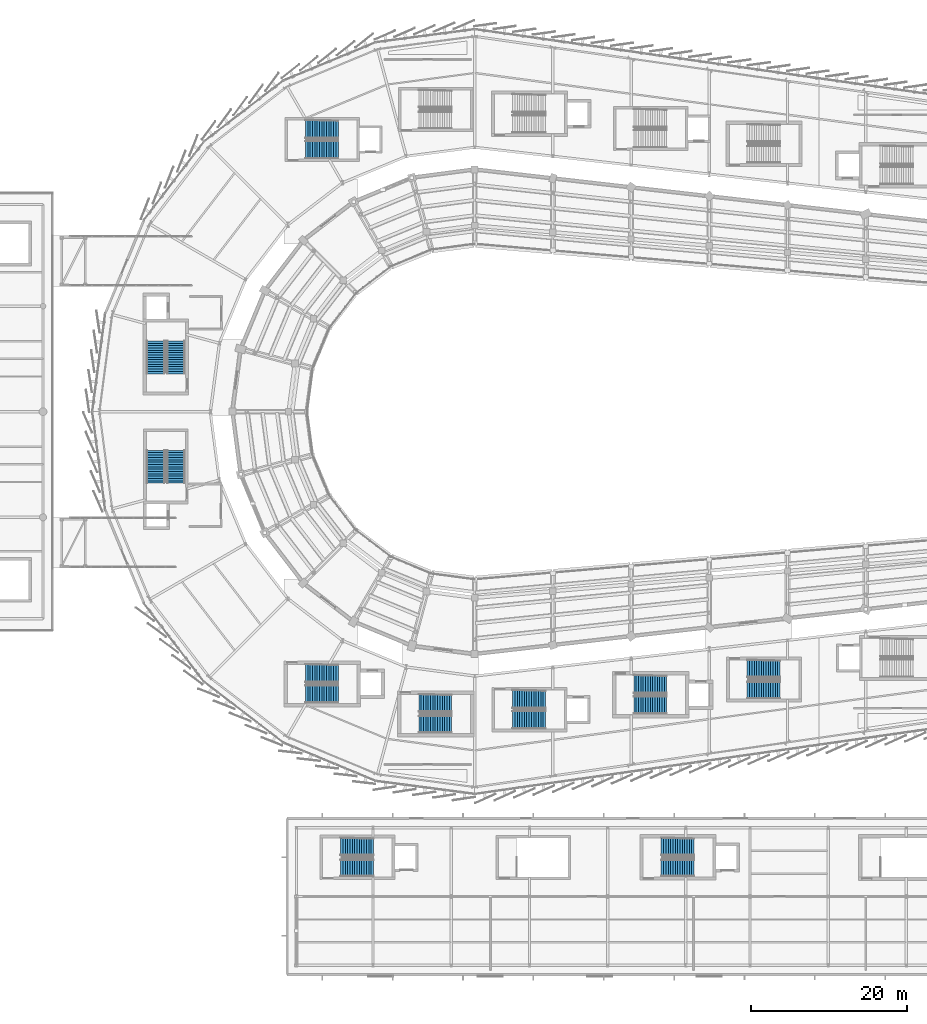
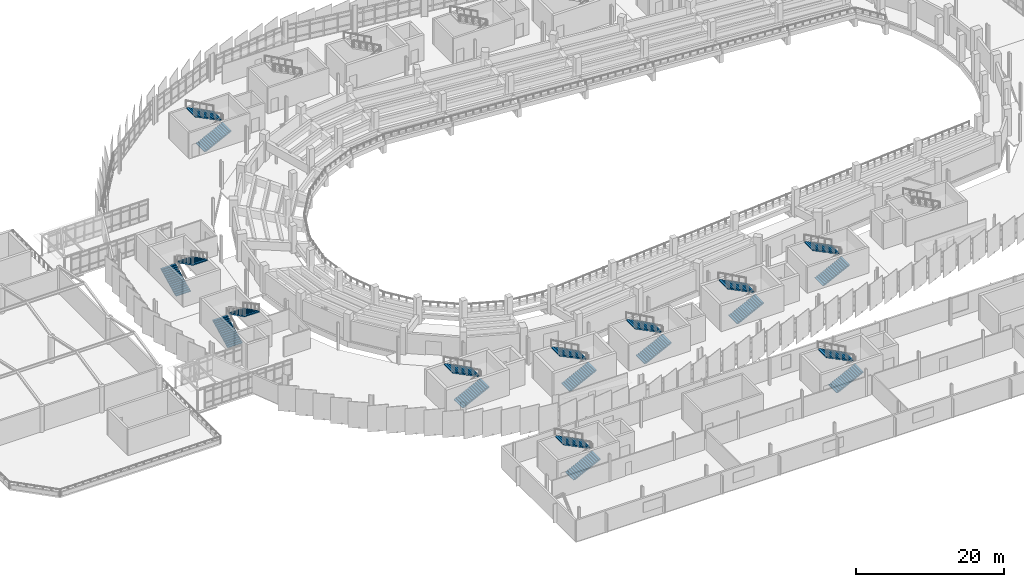
# One storey, part 107 of 120: 20 stair flights, 10 elements without a shape of their own.
"""IFC4 building model written with IfcOpenShell, lengths in metres."""

from ifc_helpers import new_model, si_unit, direction, frame, origin, place, context, subcontext, project, spatial, polyline, outline, extrude, material, type_object, element, aggregate, save


model = new_model("IFC4")

# Units and contexts
model_context = context("Model", 3, precision=1e-05, world=origin(), true_north=direction((0.0, 1.0)))
body_context = subcontext(model_context, "Body", "Model", "MODEL_VIEW")
ifc_project = project(units=[si_unit("LENGTHUNIT", "METRE"), si_unit("AREAUNIT", "SQUARE_METRE"), si_unit("VOLUMEUNIT", "CUBIC_METRE"), si_unit("PLANEANGLEUNIT", "RADIAN"), si_unit("MASSUNIT", "GRAM", prefix="KILO")], contexts=[model_context])

# Site, building, storey
site_placement = place(None, origin())
site = spatial("IfcSite", under=ifc_project, at=site_placement, CompositionType="ELEMENT")
building_placement = place(site_placement, origin())
building = spatial("IfcBuilding", under=site, at=building_placement, Name="Sohan Crest Arena", CompositionType="ELEMENT")
storey_placement = place(building_placement, frame((0.0, 0.0, 13.5)))
storey = spatial("IfcBuildingStorey", under=building, at=storey_placement, Name="L03", CompositionType="ELEMENT", Elevation=13.5)

# Stair, stair flights
ifc_material = material(Name="Concrete C40/50", Category="concrete")
stair_type_1 = type_object("IfcStairType", Name="ST-450W", PredefinedType="TWO_STRAIGHT_RUN_STAIR", material=ifc_material)
stair_1_placement = place(storey_placement, origin())
stair_1 = element("IfcStair", 1, at=stair_1_placement, inside=storey, type_object=stair_type_1, Name="Protected exit stair ST17-L03", PredefinedType="TWO_STRAIGHT_RUN_STAIR")
stair_flight_type_1 = type_object("IfcStairFlightType", Name="FL-220-15", PredefinedType="STRAIGHT", material=ifc_material)
stair_flight_1_placement = place(storey_placement, frame((80.85009765625, 19.64990234375, 0.0), z_axis=(0.0, 0.0, 1.0), x_axis=(1.0, 0.0, 0.0)))
stair_flight_1 = element("IfcStairFlight", 2, at=stair_flight_1_placement, type_object=stair_flight_type_1, Name="ST17-L03 flight 1", NumberOfRisers=15, NumberOfTreads=14, PredefinedType="STRAIGHT", RiserHeight=0.15, TreadLength=0.3, context=body_context, shape_type="SweptSolid", body=[
    extrude(outline(polyline([(0.0, 0.0), (0.0, 0.14990234375), (0.300048828125, 0.14990234375), (0.300048828125, 0.300048828125), (0.60009765625, 0.300048828125), (0.60009765625, 0.449951171875), (0.89990234375, 0.449951171875), (0.89990234375, 0.60009765625), (1.199951171875, 0.60009765625), (1.199951171875, 0.75), (1.5, 0.75), (1.5, 0.89990234375), (1.800048828125, 0.89990234375), (1.800048828125, 1.050048828125), (2.10009765625, 1.050048828125), (2.10009765625, 1.199951171875), (2.39990234375, 1.199951171875), (2.39990234375, 1.35009765625), (2.699951171875, 1.35009765625), (2.699951171875, 1.5), (3.0, 1.5), (3.0, 1.64990234375), (3.300048828125, 1.64990234375), (3.300048828125, 1.800048828125), (3.60009765625, 1.800048828125), (3.60009765625, 1.949951171875), (3.89990234375, 1.949951171875), (3.89990234375, 2.10009765625), (4.199951171875, 2.10009765625), (4.199951171875, 2.25), (4.199951171875, 1.932373046875), (0.335205078125, 0.0), (0.0, 0.0)])), frame((0.0, 1.10009765625, 0.0), z_axis=(0.0, -1.0, 0.0), x_axis=(1.0, 0.0, 0.0)), (0.0, 0.0, 1.0), 2.199951171875),
])
stair_flight_2_placement = place(storey_placement, frame((85.050048828125, 22.35009765625, 2.25), z_axis=(0.0, 0.0, 1.0), x_axis=(-1.0, 0.0, 0.0)))
stair_flight_2 = element("IfcStairFlight", 3, at=stair_flight_2_placement, type_object=stair_flight_type_1, Name="ST17-L03 flight 2", NumberOfRisers=15, NumberOfTreads=14, PredefinedType="STRAIGHT", RiserHeight=0.15, TreadLength=0.3, context=body_context, shape_type="SweptSolid", body=[
    extrude(outline(polyline([(0.0, 0.0), (0.0, 0.14990234375), (0.300048828125, 0.14990234375), (0.300048828125, 0.300048828125), (0.60009765625, 0.300048828125), (0.60009765625, 0.449951171875), (0.89990234375, 0.449951171875), (0.89990234375, 0.60009765625), (1.199951171875, 0.60009765625), (1.199951171875, 0.75), (1.5, 0.75), (1.5, 0.89990234375), (1.800048828125, 0.89990234375), (1.800048828125, 1.050048828125), (2.10009765625, 1.050048828125), (2.10009765625, 1.199951171875), (2.39990234375, 1.199951171875), (2.39990234375, 1.35009765625), (2.699951171875, 1.35009765625), (2.699951171875, 1.5), (3.0, 1.5), (3.0, 1.64990234375), (3.300048828125, 1.64990234375), (3.300048828125, 1.800048828125), (3.60009765625, 1.800048828125), (3.60009765625, 1.949951171875), (3.89990234375, 1.949951171875), (3.89990234375, 2.10009765625), (4.199951171875, 2.10009765625), (4.199951171875, 2.25), (4.199951171875, 1.932373046875), (0.335205078125, 0.0), (0.0, 0.0)])), frame((0.0, 1.10009765625, 0.0), z_axis=(0.0, -1.0, 0.0), x_axis=(1.0, 0.0, 0.0)), (0.0, 0.0, 1.0), 2.199951171875),
])
aggregate(stair_1, [stair_flight_1, stair_flight_2])

stair_2_placement = place(storey_placement, origin())
stair_2 = element("IfcStair", 4, at=stair_2_placement, inside=storey, type_object=stair_type_1, Name="Protected exit stair ST18-L03", PredefinedType="TWO_STRAIGHT_RUN_STAIR")
stair_flight_3_placement = place(storey_placement, frame((121.85009765625, 19.64990234375, 0.0), z_axis=(0.0, 0.0, 1.0), x_axis=(1.0, 0.0, 0.0)))
stair_flight_3 = element("IfcStairFlight", 5, at=stair_flight_3_placement, type_object=stair_flight_type_1, Name="ST18-L03 flight 1", NumberOfRisers=15, NumberOfTreads=14, PredefinedType="STRAIGHT", RiserHeight=0.15, TreadLength=0.3, context=body_context, shape_type="SweptSolid", body=[
    extrude(outline(polyline([(0.0, 0.0), (0.0, 0.14990234375), (0.300048828125, 0.14990234375), (0.300048828125, 0.300048828125), (0.60009765625, 0.300048828125), (0.60009765625, 0.449951171875), (0.89990234375, 0.449951171875), (0.89990234375, 0.60009765625), (1.199951171875, 0.60009765625), (1.199951171875, 0.75), (1.5, 0.75), (1.5, 0.89990234375), (1.800048828125, 0.89990234375), (1.800048828125, 1.050048828125), (2.10009765625, 1.050048828125), (2.10009765625, 1.199951171875), (2.39990234375, 1.199951171875), (2.39990234375, 1.35009765625), (2.699951171875, 1.35009765625), (2.699951171875, 1.5), (3.0, 1.5), (3.0, 1.64990234375), (3.300048828125, 1.64990234375), (3.300048828125, 1.800048828125), (3.60009765625, 1.800048828125), (3.60009765625, 1.949951171875), (3.89990234375, 1.949951171875), (3.89990234375, 2.10009765625), (4.199951171875, 2.10009765625), (4.199951171875, 2.25), (4.199951171875, 1.932373046875), (0.335205078125, 0.0), (0.0, 0.0)])), frame((0.0, 1.10009765625, 0.0), z_axis=(0.0, -1.0, 0.0), x_axis=(1.0, 0.0, 0.0)), (0.0, 0.0, 1.0), 2.199951171875),
])
stair_flight_4_placement = place(storey_placement, frame((126.050048828125, 22.35009765625, 2.25), z_axis=(0.0, 0.0, 1.0), x_axis=(-1.0, 0.0, 0.0)))
stair_flight_4 = element("IfcStairFlight", 6, at=stair_flight_4_placement, type_object=stair_flight_type_1, Name="ST18-L03 flight 2", NumberOfRisers=15, NumberOfTreads=14, PredefinedType="STRAIGHT", RiserHeight=0.15, TreadLength=0.3, context=body_context, shape_type="SweptSolid", body=[
    extrude(outline(polyline([(0.0, 0.0), (0.0, 0.14990234375), (0.300048828125, 0.14990234375), (0.300048828125, 0.300048828125), (0.60009765625, 0.300048828125), (0.60009765625, 0.449951171875), (0.89990234375, 0.449951171875), (0.89990234375, 0.60009765625), (1.199951171875, 0.60009765625), (1.199951171875, 0.75), (1.5, 0.75), (1.5, 0.89990234375), (1.800048828125, 0.89990234375), (1.800048828125, 1.050048828125), (2.10009765625, 1.050048828125), (2.10009765625, 1.199951171875), (2.39990234375, 1.199951171875), (2.39990234375, 1.35009765625), (2.699951171875, 1.35009765625), (2.699951171875, 1.5), (3.0, 1.5), (3.0, 1.64990234375), (3.300048828125, 1.64990234375), (3.300048828125, 1.800048828125), (3.60009765625, 1.800048828125), (3.60009765625, 1.949951171875), (3.89990234375, 1.949951171875), (3.89990234375, 2.10009765625), (4.199951171875, 2.10009765625), (4.199951171875, 2.25), (4.199951171875, 1.932373046875), (0.335205078125, 0.0), (0.0, 0.0)])), frame((0.0, 1.10009765625, 0.0), z_axis=(0.0, -1.0, 0.0), x_axis=(1.0, 0.0, 0.0)), (0.0, 0.0, 1.0), 2.199951171875),
])
aggregate(stair_2, [stair_flight_3, stair_flight_4])

stair_3_placement = place(storey_placement, origin())
stair_3 = element("IfcStair", 7, at=stair_3_placement, inside=storey, type_object=stair_type_1, Name="Protected exit stair ST19-L03", PredefinedType="TWO_STRAIGHT_RUN_STAIR")
stair_flight_5_placement = place(storey_placement, frame((90.85009765625, 38.010009765625, 0.0), z_axis=(0.0, 0.0, 1.0), x_axis=(1.0, 0.0, 0.0)))
stair_flight_5 = element("IfcStairFlight", 8, at=stair_flight_5_placement, type_object=stair_flight_type_1, Name="ST19-L03 flight 1", NumberOfRisers=15, NumberOfTreads=14, PredefinedType="STRAIGHT", RiserHeight=0.15, TreadLength=0.3, context=body_context, shape_type="SweptSolid", body=[
    extrude(outline(polyline([(0.0, 0.0), (0.0, 0.14990234375), (0.300048828125, 0.14990234375), (0.300048828125, 0.300048828125), (0.60009765625, 0.300048828125), (0.60009765625, 0.449951171875), (0.89990234375, 0.449951171875), (0.89990234375, 0.60009765625), (1.199951171875, 0.60009765625), (1.199951171875, 0.75), (1.5, 0.75), (1.5, 0.89990234375), (1.800048828125, 0.89990234375), (1.800048828125, 1.050048828125), (2.10009765625, 1.050048828125), (2.10009765625, 1.199951171875), (2.39990234375, 1.199951171875), (2.39990234375, 1.35009765625), (2.699951171875, 1.35009765625), (2.699951171875, 1.5), (3.0, 1.5), (3.0, 1.64990234375), (3.300048828125, 1.64990234375), (3.300048828125, 1.800048828125), (3.60009765625, 1.800048828125), (3.60009765625, 1.949951171875), (3.89990234375, 1.949951171875), (3.89990234375, 2.10009765625), (4.199951171875, 2.10009765625), (4.199951171875, 2.25), (4.199951171875, 1.932373046875), (0.335205078125, 0.0), (0.0, 0.0)])), frame((0.0, 1.10009765625, 0.0), z_axis=(0.0, -1.0, 0.0), x_axis=(1.0, 0.0, 0.0)), (0.0, 0.0, 1.0), 2.199951171875),
])
stair_flight_6_placement = place(storey_placement, frame((95.050048828125, 40.7099609375, 2.25), z_axis=(0.0, 0.0, 1.0), x_axis=(-1.0, 0.0, 0.0)))
stair_flight_6 = element("IfcStairFlight", 9, at=stair_flight_6_placement, type_object=stair_flight_type_1, Name="ST19-L03 flight 2", NumberOfRisers=15, NumberOfTreads=14, PredefinedType="STRAIGHT", RiserHeight=0.15, TreadLength=0.3, context=body_context, shape_type="SweptSolid", body=[
    extrude(outline(polyline([(0.0, 0.0), (0.0, 0.14990234375), (0.300048828125, 0.14990234375), (0.300048828125, 0.300048828125), (0.60009765625, 0.300048828125), (0.60009765625, 0.449951171875), (0.89990234375, 0.449951171875), (0.89990234375, 0.60009765625), (1.199951171875, 0.60009765625), (1.199951171875, 0.75), (1.5, 0.75), (1.5, 0.89990234375), (1.800048828125, 0.89990234375), (1.800048828125, 1.050048828125), (2.10009765625, 1.050048828125), (2.10009765625, 1.199951171875), (2.39990234375, 1.199951171875), (2.39990234375, 1.35009765625), (2.699951171875, 1.35009765625), (2.699951171875, 1.5), (3.0, 1.5), (3.0, 1.64990234375), (3.300048828125, 1.64990234375), (3.300048828125, 1.800048828125), (3.60009765625, 1.800048828125), (3.60009765625, 1.949951171875), (3.89990234375, 1.949951171875), (3.89990234375, 2.10009765625), (4.199951171875, 2.10009765625), (4.199951171875, 2.25), (4.199951171875, 1.932373046875), (0.335205078125, 0.0), (0.0, 0.0)])), frame((0.0, 1.10009765625, 0.0), z_axis=(0.0, -1.0, 0.0), x_axis=(1.0, 0.0, 0.0)), (0.0, 0.0, 1.0), 2.199951171875),
])
aggregate(stair_3, [stair_flight_5, stair_flight_6])

stair_4_placement = place(storey_placement, origin())
stair_4 = element("IfcStair", 10, at=stair_4_placement, inside=storey, type_object=stair_type_1, Name="Protected exit stair ST21-L03", PredefinedType="TWO_STRAIGHT_RUN_STAIR")
stair_flight_7_placement = place(storey_placement, frame((132.85009765625, 42.39990234375, 0.0), z_axis=(0.0, 0.0, 1.0), x_axis=(1.0, 0.0, 0.0)))
stair_flight_7 = element("IfcStairFlight", 11, at=stair_flight_7_placement, type_object=stair_flight_type_1, Name="ST21-L03 flight 1", NumberOfRisers=15, NumberOfTreads=14, PredefinedType="STRAIGHT", RiserHeight=0.15, TreadLength=0.3, context=body_context, shape_type="SweptSolid", body=[
    extrude(outline(polyline([(0.0, 0.0), (0.0, 0.14990234375), (0.300048828125, 0.14990234375), (0.300048828125, 0.300048828125), (0.60009765625, 0.300048828125), (0.60009765625, 0.449951171875), (0.89990234375, 0.449951171875), (0.89990234375, 0.60009765625), (1.199951171875, 0.60009765625), (1.199951171875, 0.75), (1.5, 0.75), (1.5, 0.89990234375), (1.800048828125, 0.89990234375), (1.800048828125, 1.050048828125), (2.10009765625, 1.050048828125), (2.10009765625, 1.199951171875), (2.39990234375, 1.199951171875), (2.39990234375, 1.35009765625), (2.699951171875, 1.35009765625), (2.699951171875, 1.5), (3.0, 1.5), (3.0, 1.64990234375), (3.300048828125, 1.64990234375), (3.300048828125, 1.800048828125), (3.60009765625, 1.800048828125), (3.60009765625, 1.949951171875), (3.89990234375, 1.949951171875), (3.89990234375, 2.10009765625), (4.199951171875, 2.10009765625), (4.199951171875, 2.25), (4.199951171875, 1.932373046875), (0.335205078125, 0.0), (0.0, 0.0)])), frame((0.0, 1.10009765625, 0.0), z_axis=(0.0, -1.0, 0.0), x_axis=(1.0, 0.0, 0.0)), (0.0, 0.0, 1.0), 2.199951171875),
])
stair_flight_8_placement = place(storey_placement, frame((137.050048828125, 45.10009765625, 2.25), z_axis=(0.0, 0.0, 1.0), x_axis=(-1.0, 0.0, 0.0)))
stair_flight_8 = element("IfcStairFlight", 12, at=stair_flight_8_placement, type_object=stair_flight_type_1, Name="ST21-L03 flight 2", NumberOfRisers=15, NumberOfTreads=14, PredefinedType="STRAIGHT", RiserHeight=0.15, TreadLength=0.3, context=body_context, shape_type="SweptSolid", body=[
    extrude(outline(polyline([(0.0, 0.0), (0.0, 0.14990234375), (0.300048828125, 0.14990234375), (0.300048828125, 0.300048828125), (0.60009765625, 0.300048828125), (0.60009765625, 0.449951171875), (0.89990234375, 0.449951171875), (0.89990234375, 0.60009765625), (1.199951171875, 0.60009765625), (1.199951171875, 0.75), (1.5, 0.75), (1.5, 0.89990234375), (1.800048828125, 0.89990234375), (1.800048828125, 1.050048828125), (2.10009765625, 1.050048828125), (2.10009765625, 1.199951171875), (2.39990234375, 1.199951171875), (2.39990234375, 1.35009765625), (2.699951171875, 1.35009765625), (2.699951171875, 1.5), (3.0, 1.5), (3.0, 1.64990234375), (3.300048828125, 1.64990234375), (3.300048828125, 1.800048828125), (3.60009765625, 1.800048828125), (3.60009765625, 1.949951171875), (3.89990234375, 1.949951171875), (3.89990234375, 2.10009765625), (4.199951171875, 2.10009765625), (4.199951171875, 2.25), (4.199951171875, 1.932373046875), (0.335205078125, 0.0), (0.0, 0.0)])), frame((0.0, 1.10009765625, 0.0), z_axis=(0.0, -1.0, 0.0), x_axis=(1.0, 0.0, 0.0)), (0.0, 0.0, 1.0), 2.199951171875),
])
aggregate(stair_4, [stair_flight_7, stair_flight_8])

stair_type_2 = type_object("IfcStairType", Name="ST-450", PredefinedType="TWO_STRAIGHT_RUN_STAIR", material=ifc_material)
stair_5_placement = place(storey_placement, origin())
stair_5 = element("IfcStair", 13, at=stair_5_placement, inside=storey, type_object=stair_type_2, Name="Protected exit stair ST01-L03", PredefinedType="TWO_STRAIGHT_RUN_STAIR")
stair_flight_type_2 = type_object("IfcStairFlightType", Name="FL-260-15", PredefinedType="STRAIGHT", material=ifc_material)
stair_flight_9_placement = place(storey_placement, frame((57.199951171875, 68.85009765625, 0.0), z_axis=(0.0, 0.0, 1.0), x_axis=(0.0, 1.0, 0.0)))
stair_flight_9 = element("IfcStairFlight", 14, at=stair_flight_9_placement, type_object=stair_flight_type_2, Name="ST01-L03 flight 1", NumberOfRisers=15, NumberOfTreads=14, PredefinedType="STRAIGHT", RiserHeight=0.15, TreadLength=0.3, context=body_context, shape_type="SweptSolid", body=[
    extrude(outline(polyline([(0.0, 0.0), (0.0, 0.14990234375), (0.300048828125, 0.14990234375), (0.300048828125, 0.300048828125), (0.60009765625, 0.300048828125), (0.60009765625, 0.449951171875), (0.89990234375, 0.449951171875), (0.89990234375, 0.60009765625), (1.199951171875, 0.60009765625), (1.199951171875, 0.75), (1.5, 0.75), (1.5, 0.89990234375), (1.800048828125, 0.89990234375), (1.800048828125, 1.050048828125), (2.10009765625, 1.050048828125), (2.10009765625, 1.199951171875), (2.39990234375, 1.199951171875), (2.39990234375, 1.35009765625), (2.699951171875, 1.35009765625), (2.699951171875, 1.5), (3.0, 1.5), (3.0, 1.64990234375), (3.300048828125, 1.64990234375), (3.300048828125, 1.800048828125), (3.60009765625, 1.800048828125), (3.60009765625, 1.949951171875), (3.89990234375, 1.949951171875), (3.89990234375, 2.10009765625), (4.199951171875, 2.10009765625), (4.199951171875, 2.25), (4.199951171875, 1.932373046875), (0.335205078125, 0.0), (0.0, 0.0)])), frame((0.0, 1.14990234375, 0.0), z_axis=(0.0, -1.0, 0.0), x_axis=(1.0, 0.0, 0.0)), (0.0, 0.0, 1.0), 2.300048828125),
])
stair_flight_10_placement = place(storey_placement, frame((59.800048828125, 73.050048828125, 2.25), z_axis=(0.0, 0.0, 1.0), x_axis=(0.0, -1.0, 0.0)))
stair_flight_10 = element("IfcStairFlight", 15, at=stair_flight_10_placement, type_object=stair_flight_type_2, Name="ST01-L03 flight 2", NumberOfRisers=15, NumberOfTreads=14, PredefinedType="STRAIGHT", RiserHeight=0.15, TreadLength=0.3, context=body_context, shape_type="SweptSolid", body=[
    extrude(outline(polyline([(0.0, 0.0), (0.0, 0.14990234375), (0.300048828125, 0.14990234375), (0.300048828125, 0.300048828125), (0.60009765625, 0.300048828125), (0.60009765625, 0.449951171875), (0.89990234375, 0.449951171875), (0.89990234375, 0.60009765625), (1.199951171875, 0.60009765625), (1.199951171875, 0.75), (1.5, 0.75), (1.5, 0.89990234375), (1.800048828125, 0.89990234375), (1.800048828125, 1.050048828125), (2.10009765625, 1.050048828125), (2.10009765625, 1.199951171875), (2.39990234375, 1.199951171875), (2.39990234375, 1.35009765625), (2.699951171875, 1.35009765625), (2.699951171875, 1.5), (3.0, 1.5), (3.0, 1.64990234375), (3.300048828125, 1.64990234375), (3.300048828125, 1.800048828125), (3.60009765625, 1.800048828125), (3.60009765625, 1.949951171875), (3.89990234375, 1.949951171875), (3.89990234375, 2.10009765625), (4.199951171875, 2.10009765625), (4.199951171875, 2.25), (4.199951171875, 1.932373046875), (0.335205078125, 0.0), (0.0, 0.0)])), frame((0.0, 1.14990234375, 0.0), z_axis=(0.0, -1.0, 0.0), x_axis=(1.0, 0.0, 0.0)), (0.0, 0.0, 1.0), 2.300048828125),
])
aggregate(stair_5, [stair_flight_9, stair_flight_10])

stair_6_placement = place(storey_placement, origin())
stair_6 = element("IfcStair", 16, at=stair_6_placement, inside=storey, type_object=stair_type_2, Name="Protected exit stair ST02-L03", PredefinedType="TWO_STRAIGHT_RUN_STAIR")
stair_flight_11_placement = place(storey_placement, frame((57.199951171875, 82.85009765625, 0.0), z_axis=(0.0, 0.0, 1.0), x_axis=(0.0, 1.0, 0.0)))
stair_flight_11 = element("IfcStairFlight", 17, at=stair_flight_11_placement, type_object=stair_flight_type_2, Name="ST02-L03 flight 1", NumberOfRisers=15, NumberOfTreads=14, PredefinedType="STRAIGHT", RiserHeight=0.15, TreadLength=0.3, context=body_context, shape_type="SweptSolid", body=[
    extrude(outline(polyline([(0.0, 0.0), (0.0, 0.14990234375), (0.300048828125, 0.14990234375), (0.300048828125, 0.300048828125), (0.60009765625, 0.300048828125), (0.60009765625, 0.449951171875), (0.89990234375, 0.449951171875), (0.89990234375, 0.60009765625), (1.199951171875, 0.60009765625), (1.199951171875, 0.75), (1.5, 0.75), (1.5, 0.89990234375), (1.800048828125, 0.89990234375), (1.800048828125, 1.050048828125), (2.10009765625, 1.050048828125), (2.10009765625, 1.199951171875), (2.39990234375, 1.199951171875), (2.39990234375, 1.35009765625), (2.699951171875, 1.35009765625), (2.699951171875, 1.5), (3.0, 1.5), (3.0, 1.64990234375), (3.300048828125, 1.64990234375), (3.300048828125, 1.800048828125), (3.60009765625, 1.800048828125), (3.60009765625, 1.949951171875), (3.89990234375, 1.949951171875), (3.89990234375, 2.10009765625), (4.199951171875, 2.10009765625), (4.199951171875, 2.25), (4.199951171875, 1.932373046875), (0.335205078125, 0.0), (0.0, 0.0)])), frame((0.0, 1.14990234375, 0.0), z_axis=(0.0, -1.0, 0.0), x_axis=(1.0, 0.0, 0.0)), (0.0, 0.0, 1.0), 2.300048828125),
])
stair_flight_12_placement = place(storey_placement, frame((59.800048828125, 87.050048828125, 2.25), z_axis=(0.0, 0.0, 1.0), x_axis=(0.0, -1.0, 0.0)))
stair_flight_12 = element("IfcStairFlight", 18, at=stair_flight_12_placement, type_object=stair_flight_type_2, Name="ST02-L03 flight 2", NumberOfRisers=15, NumberOfTreads=14, PredefinedType="STRAIGHT", RiserHeight=0.15, TreadLength=0.3, context=body_context, shape_type="SweptSolid", body=[
    extrude(outline(polyline([(0.0, 0.0), (0.0, 0.14990234375), (0.300048828125, 0.14990234375), (0.300048828125, 0.300048828125), (0.60009765625, 0.300048828125), (0.60009765625, 0.449951171875), (0.89990234375, 0.449951171875), (0.89990234375, 0.60009765625), (1.199951171875, 0.60009765625), (1.199951171875, 0.75), (1.5, 0.75), (1.5, 0.89990234375), (1.800048828125, 0.89990234375), (1.800048828125, 1.050048828125), (2.10009765625, 1.050048828125), (2.10009765625, 1.199951171875), (2.39990234375, 1.199951171875), (2.39990234375, 1.35009765625), (2.699951171875, 1.35009765625), (2.699951171875, 1.5), (3.0, 1.5), (3.0, 1.64990234375), (3.300048828125, 1.64990234375), (3.300048828125, 1.800048828125), (3.60009765625, 1.800048828125), (3.60009765625, 1.949951171875), (3.89990234375, 1.949951171875), (3.89990234375, 2.10009765625), (4.199951171875, 2.10009765625), (4.199951171875, 2.25), (4.199951171875, 1.932373046875), (0.335205078125, 0.0), (0.0, 0.0)])), frame((0.0, 1.14990234375, 0.0), z_axis=(0.0, -1.0, 0.0), x_axis=(1.0, 0.0, 0.0)), (0.0, 0.0, 1.0), 2.300048828125),
])
aggregate(stair_6, [stair_flight_11, stair_flight_12])

stair_7_placement = place(storey_placement, origin())
stair_7 = element("IfcStair", 19, at=stair_7_placement, inside=storey, type_object=stair_type_2, Name="Protected exit stair ST03-L03", PredefinedType="TWO_STRAIGHT_RUN_STAIR")
stair_flight_13_placement = place(storey_placement, frame((76.35009765625, 41.89990234375, 0.0), z_axis=(0.0, 0.0, 1.0), x_axis=(1.0, 0.0, 0.0)))
stair_flight_13 = element("IfcStairFlight", 20, at=stair_flight_13_placement, type_object=stair_flight_type_2, Name="ST03-L03 flight 1", NumberOfRisers=15, NumberOfTreads=14, PredefinedType="STRAIGHT", RiserHeight=0.15, TreadLength=0.3, context=body_context, shape_type="SweptSolid", body=[
    extrude(outline(polyline([(0.0, 0.0), (0.0, 0.14990234375), (0.300048828125, 0.14990234375), (0.300048828125, 0.300048828125), (0.60009765625, 0.300048828125), (0.60009765625, 0.449951171875), (0.89990234375, 0.449951171875), (0.89990234375, 0.60009765625), (1.199951171875, 0.60009765625), (1.199951171875, 0.75), (1.5, 0.75), (1.5, 0.89990234375), (1.800048828125, 0.89990234375), (1.800048828125, 1.050048828125), (2.10009765625, 1.050048828125), (2.10009765625, 1.199951171875), (2.39990234375, 1.199951171875), (2.39990234375, 1.35009765625), (2.699951171875, 1.35009765625), (2.699951171875, 1.5), (3.0, 1.5), (3.0, 1.64990234375), (3.300048828125, 1.64990234375), (3.300048828125, 1.800048828125), (3.60009765625, 1.800048828125), (3.60009765625, 1.949951171875), (3.89990234375, 1.949951171875), (3.89990234375, 2.10009765625), (4.199951171875, 2.10009765625), (4.199951171875, 2.25), (4.199951171875, 1.932373046875), (0.335205078125, 0.0), (0.0, 0.0)])), frame((0.0, 1.14990234375, 0.0), z_axis=(0.0, -1.0, 0.0), x_axis=(1.0, 0.0, 0.0)), (0.0, 0.0, 1.0), 2.300048828125),
])
stair_flight_14_placement = place(storey_placement, frame((80.550048828125, 44.5, 2.25), z_axis=(0.0, 0.0, 1.0), x_axis=(-1.0, 0.0, 0.0)))
stair_flight_14 = element("IfcStairFlight", 21, at=stair_flight_14_placement, type_object=stair_flight_type_2, Name="ST03-L03 flight 2", NumberOfRisers=15, NumberOfTreads=14, PredefinedType="STRAIGHT", RiserHeight=0.15, TreadLength=0.3, context=body_context, shape_type="SweptSolid", body=[
    extrude(outline(polyline([(0.0, 0.0), (0.0, 0.14990234375), (0.300048828125, 0.14990234375), (0.300048828125, 0.300048828125), (0.60009765625, 0.300048828125), (0.60009765625, 0.449951171875), (0.89990234375, 0.449951171875), (0.89990234375, 0.60009765625), (1.199951171875, 0.60009765625), (1.199951171875, 0.75), (1.5, 0.75), (1.5, 0.89990234375), (1.800048828125, 0.89990234375), (1.800048828125, 1.050048828125), (2.10009765625, 1.050048828125), (2.10009765625, 1.199951171875), (2.39990234375, 1.199951171875), (2.39990234375, 1.35009765625), (2.699951171875, 1.35009765625), (2.699951171875, 1.5), (3.0, 1.5), (3.0, 1.64990234375), (3.300048828125, 1.64990234375), (3.300048828125, 1.800048828125), (3.60009765625, 1.800048828125), (3.60009765625, 1.949951171875), (3.89990234375, 1.949951171875), (3.89990234375, 2.10009765625), (4.199951171875, 2.10009765625), (4.199951171875, 2.25), (4.199951171875, 1.932373046875), (0.335205078125, 0.0), (0.0, 0.0)])), frame((0.0, 1.14990234375, 0.0), z_axis=(0.0, -1.0, 0.0), x_axis=(1.0, 0.0, 0.0)), (0.0, 0.0, 1.0), 2.300048828125),
])
aggregate(stair_7, [stair_flight_13, stair_flight_14])

stair_8_placement = place(storey_placement, origin())
stair_8 = element("IfcStair", 22, at=stair_8_placement, inside=storey, type_object=stair_type_2, Name="Protected exit stair ST04-L03", PredefinedType="TWO_STRAIGHT_RUN_STAIR")
stair_flight_15_placement = place(storey_placement, frame((76.35009765625, 111.5, 0.0), z_axis=(0.0, 0.0, 1.0), x_axis=(1.0, 0.0, 0.0)))
stair_flight_15 = element("IfcStairFlight", 23, at=stair_flight_15_placement, type_object=stair_flight_type_2, Name="ST04-L03 flight 1", NumberOfRisers=15, NumberOfTreads=14, PredefinedType="STRAIGHT", RiserHeight=0.15, TreadLength=0.3, context=body_context, shape_type="SweptSolid", body=[
    extrude(outline(polyline([(0.0, 0.0), (0.0, 0.14990234375), (0.300048828125, 0.14990234375), (0.300048828125, 0.300048828125), (0.60009765625, 0.300048828125), (0.60009765625, 0.449951171875), (0.89990234375, 0.449951171875), (0.89990234375, 0.60009765625), (1.199951171875, 0.60009765625), (1.199951171875, 0.75), (1.5, 0.75), (1.5, 0.89990234375), (1.800048828125, 0.89990234375), (1.800048828125, 1.050048828125), (2.10009765625, 1.050048828125), (2.10009765625, 1.199951171875), (2.39990234375, 1.199951171875), (2.39990234375, 1.35009765625), (2.699951171875, 1.35009765625), (2.699951171875, 1.5), (3.0, 1.5), (3.0, 1.64990234375), (3.300048828125, 1.64990234375), (3.300048828125, 1.800048828125), (3.60009765625, 1.800048828125), (3.60009765625, 1.949951171875), (3.89990234375, 1.949951171875), (3.89990234375, 2.10009765625), (4.199951171875, 2.10009765625), (4.199951171875, 2.25), (4.199951171875, 1.932373046875), (0.335205078125, 0.0), (0.0, 0.0)])), frame((0.0, 1.14990234375, 0.0), z_axis=(0.0, -1.0, 0.0), x_axis=(1.0, 0.0, 0.0)), (0.0, 0.0, 1.0), 2.300048828125),
])
stair_flight_16_placement = place(storey_placement, frame((80.550048828125, 114.10009765625, 2.25), z_axis=(0.0, 0.0, 1.0), x_axis=(-1.0, 0.0, 0.0)))
stair_flight_16 = element("IfcStairFlight", 24, at=stair_flight_16_placement, type_object=stair_flight_type_2, Name="ST04-L03 flight 2", NumberOfRisers=15, NumberOfTreads=14, PredefinedType="STRAIGHT", RiserHeight=0.15, TreadLength=0.3, context=body_context, shape_type="SweptSolid", body=[
    extrude(outline(polyline([(0.0, 0.0), (0.0, 0.14990234375), (0.300048828125, 0.14990234375), (0.300048828125, 0.300048828125), (0.60009765625, 0.300048828125), (0.60009765625, 0.449951171875), (0.89990234375, 0.449951171875), (0.89990234375, 0.60009765625), (1.199951171875, 0.60009765625), (1.199951171875, 0.75), (1.5, 0.75), (1.5, 0.89990234375), (1.800048828125, 0.89990234375), (1.800048828125, 1.050048828125), (2.10009765625, 1.050048828125), (2.10009765625, 1.199951171875), (2.39990234375, 1.199951171875), (2.39990234375, 1.35009765625), (2.699951171875, 1.35009765625), (2.699951171875, 1.5), (3.0, 1.5), (3.0, 1.64990234375), (3.300048828125, 1.64990234375), (3.300048828125, 1.800048828125), (3.60009765625, 1.800048828125), (3.60009765625, 1.949951171875), (3.89990234375, 1.949951171875), (3.89990234375, 2.10009765625), (4.199951171875, 2.10009765625), (4.199951171875, 2.25), (4.199951171875, 1.932373046875), (0.335205078125, 0.0), (0.0, 0.0)])), frame((0.0, 1.14990234375, 0.0), z_axis=(0.0, -1.0, 0.0), x_axis=(1.0, 0.0, 0.0)), (0.0, 0.0, 1.0), 2.300048828125),
])
aggregate(stair_8, [stair_flight_15, stair_flight_16])

stair_9_placement = place(storey_placement, origin())
stair_9 = element("IfcStair", 25, at=stair_9_placement, inside=storey, type_object=stair_type_2, Name="Protected exit stair ST05-L03", PredefinedType="TWO_STRAIGHT_RUN_STAIR")
stair_flight_17_placement = place(storey_placement, frame((102.85009765625, 38.60009765625, 0.0), z_axis=(0.0, 0.0, 1.0), x_axis=(1.0, 0.0, 0.0)))
stair_flight_17 = element("IfcStairFlight", 26, at=stair_flight_17_placement, type_object=stair_flight_type_2, Name="ST05-L03 flight 1", NumberOfRisers=15, NumberOfTreads=14, PredefinedType="STRAIGHT", RiserHeight=0.15, TreadLength=0.3, context=body_context, shape_type="SweptSolid", body=[
    extrude(outline(polyline([(0.0, 0.0), (0.0, 0.14990234375), (0.300048828125, 0.14990234375), (0.300048828125, 0.300048828125), (0.60009765625, 0.300048828125), (0.60009765625, 0.449951171875), (0.89990234375, 0.449951171875), (0.89990234375, 0.60009765625), (1.199951171875, 0.60009765625), (1.199951171875, 0.75), (1.5, 0.75), (1.5, 0.89990234375), (1.800048828125, 0.89990234375), (1.800048828125, 1.050048828125), (2.10009765625, 1.050048828125), (2.10009765625, 1.199951171875), (2.39990234375, 1.199951171875), (2.39990234375, 1.35009765625), (2.699951171875, 1.35009765625), (2.699951171875, 1.5), (3.0, 1.5), (3.0, 1.64990234375), (3.300048828125, 1.64990234375), (3.300048828125, 1.800048828125), (3.60009765625, 1.800048828125), (3.60009765625, 1.949951171875), (3.89990234375, 1.949951171875), (3.89990234375, 2.10009765625), (4.199951171875, 2.10009765625), (4.199951171875, 2.25), (4.199951171875, 1.932373046875), (0.335205078125, 0.0), (0.0, 0.0)])), frame((0.0, 1.14990234375, 0.0), z_axis=(0.0, -1.0, 0.0), x_axis=(1.0, 0.0, 0.0)), (0.0, 0.0, 1.0), 2.300048828125),
])
stair_flight_18_placement = place(storey_placement, frame((107.050048828125, 41.199951171875, 2.25), z_axis=(0.0, 0.0, 1.0), x_axis=(-1.0, 0.0, 0.0)))
stair_flight_18 = element("IfcStairFlight", 27, at=stair_flight_18_placement, type_object=stair_flight_type_2, Name="ST05-L03 flight 2", NumberOfRisers=15, NumberOfTreads=14, PredefinedType="STRAIGHT", RiserHeight=0.15, TreadLength=0.3, context=body_context, shape_type="SweptSolid", body=[
    extrude(outline(polyline([(0.0, 0.0), (0.0, 0.14990234375), (0.300048828125, 0.14990234375), (0.300048828125, 0.300048828125), (0.60009765625, 0.300048828125), (0.60009765625, 0.449951171875), (0.89990234375, 0.449951171875), (0.89990234375, 0.60009765625), (1.199951171875, 0.60009765625), (1.199951171875, 0.75), (1.5, 0.75), (1.5, 0.89990234375), (1.800048828125, 0.89990234375), (1.800048828125, 1.050048828125), (2.10009765625, 1.050048828125), (2.10009765625, 1.199951171875), (2.39990234375, 1.199951171875), (2.39990234375, 1.35009765625), (2.699951171875, 1.35009765625), (2.699951171875, 1.5), (3.0, 1.5), (3.0, 1.64990234375), (3.300048828125, 1.64990234375), (3.300048828125, 1.800048828125), (3.60009765625, 1.800048828125), (3.60009765625, 1.949951171875), (3.89990234375, 1.949951171875), (3.89990234375, 2.10009765625), (4.199951171875, 2.10009765625), (4.199951171875, 2.25), (4.199951171875, 1.932373046875), (0.335205078125, 0.0), (0.0, 0.0)])), frame((0.0, 1.14990234375, 0.0), z_axis=(0.0, -1.0, 0.0), x_axis=(1.0, 0.0, 0.0)), (0.0, 0.0, 1.0), 2.300048828125),
])
aggregate(stair_9, [stair_flight_17, stair_flight_18])

stair_10_placement = place(storey_placement, origin())
stair_10 = element("IfcStair", 28, at=stair_10_placement, inside=storey, type_object=stair_type_2, Name="Protected exit stair ST07-L03", PredefinedType="TWO_STRAIGHT_RUN_STAIR")
stair_flight_19_placement = place(storey_placement, frame((118.35009765625, 40.5, 0.0), z_axis=(0.0, 0.0, 1.0), x_axis=(1.0, 0.0, 0.0)))
stair_flight_19 = element("IfcStairFlight", 29, at=stair_flight_19_placement, type_object=stair_flight_type_2, Name="ST07-L03 flight 1", NumberOfRisers=15, NumberOfTreads=14, PredefinedType="STRAIGHT", RiserHeight=0.15, TreadLength=0.3, context=body_context, shape_type="SweptSolid", body=[
    extrude(outline(polyline([(0.0, 0.0), (0.0, 0.14990234375), (0.300048828125, 0.14990234375), (0.300048828125, 0.300048828125), (0.60009765625, 0.300048828125), (0.60009765625, 0.449951171875), (0.89990234375, 0.449951171875), (0.89990234375, 0.60009765625), (1.199951171875, 0.60009765625), (1.199951171875, 0.75), (1.5, 0.75), (1.5, 0.89990234375), (1.800048828125, 0.89990234375), (1.800048828125, 1.050048828125), (2.10009765625, 1.050048828125), (2.10009765625, 1.199951171875), (2.39990234375, 1.199951171875), (2.39990234375, 1.35009765625), (2.699951171875, 1.35009765625), (2.699951171875, 1.5), (3.0, 1.5), (3.0, 1.64990234375), (3.300048828125, 1.64990234375), (3.300048828125, 1.800048828125), (3.60009765625, 1.800048828125), (3.60009765625, 1.949951171875), (3.89990234375, 1.949951171875), (3.89990234375, 2.10009765625), (4.199951171875, 2.10009765625), (4.199951171875, 2.25), (4.199951171875, 1.932373046875), (0.335205078125, 0.0), (0.0, 0.0)])), frame((0.0, 1.14990234375, 0.0), z_axis=(0.0, -1.0, 0.0), x_axis=(1.0, 0.0, 0.0)), (0.0, 0.0, 1.0), 2.300048828125),
])
stair_flight_20_placement = place(storey_placement, frame((122.550048828125, 43.10009765625, 2.25), z_axis=(0.0, 0.0, 1.0), x_axis=(-1.0, 0.0, 0.0)))
stair_flight_20 = element("IfcStairFlight", 30, at=stair_flight_20_placement, type_object=stair_flight_type_2, Name="ST07-L03 flight 2", NumberOfRisers=15, NumberOfTreads=14, PredefinedType="STRAIGHT", RiserHeight=0.15, TreadLength=0.3, context=body_context, shape_type="SweptSolid", body=[
    extrude(outline(polyline([(0.0, 0.0), (0.0, 0.14990234375), (0.300048828125, 0.14990234375), (0.300048828125, 0.300048828125), (0.60009765625, 0.300048828125), (0.60009765625, 0.449951171875), (0.89990234375, 0.449951171875), (0.89990234375, 0.60009765625), (1.199951171875, 0.60009765625), (1.199951171875, 0.75), (1.5, 0.75), (1.5, 0.89990234375), (1.800048828125, 0.89990234375), (1.800048828125, 1.050048828125), (2.10009765625, 1.050048828125), (2.10009765625, 1.199951171875), (2.39990234375, 1.199951171875), (2.39990234375, 1.35009765625), (2.699951171875, 1.35009765625), (2.699951171875, 1.5), (3.0, 1.5), (3.0, 1.64990234375), (3.300048828125, 1.64990234375), (3.300048828125, 1.800048828125), (3.60009765625, 1.800048828125), (3.60009765625, 1.949951171875), (3.89990234375, 1.949951171875), (3.89990234375, 2.10009765625), (4.199951171875, 2.10009765625), (4.199951171875, 2.25), (4.199951171875, 1.932373046875), (0.335205078125, 0.0), (0.0, 0.0)])), frame((0.0, 1.14990234375, 0.0), z_axis=(0.0, -1.0, 0.0), x_axis=(1.0, 0.0, 0.0)), (0.0, 0.0, 1.0), 2.300048828125),
])
aggregate(stair_10, [stair_flight_19, stair_flight_20])

save(model, "model.ifc")
